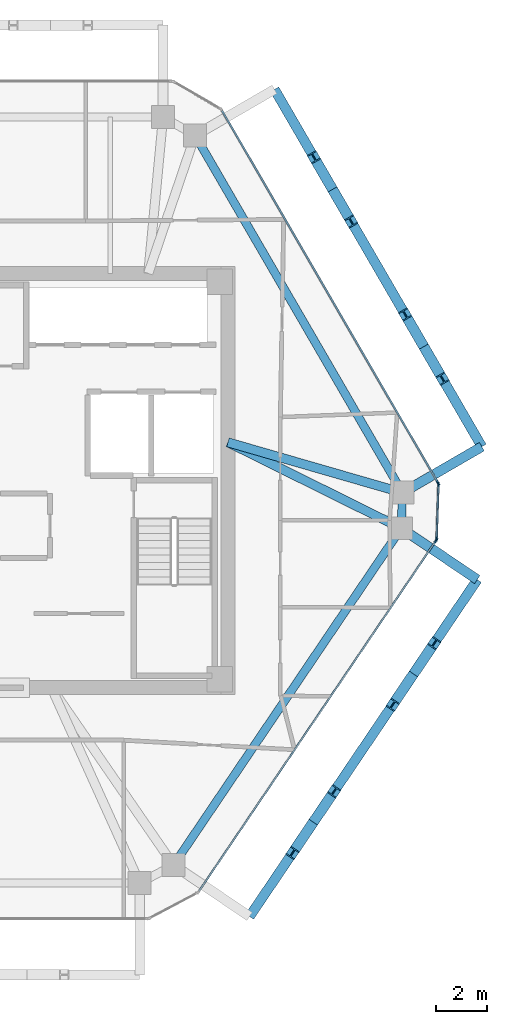
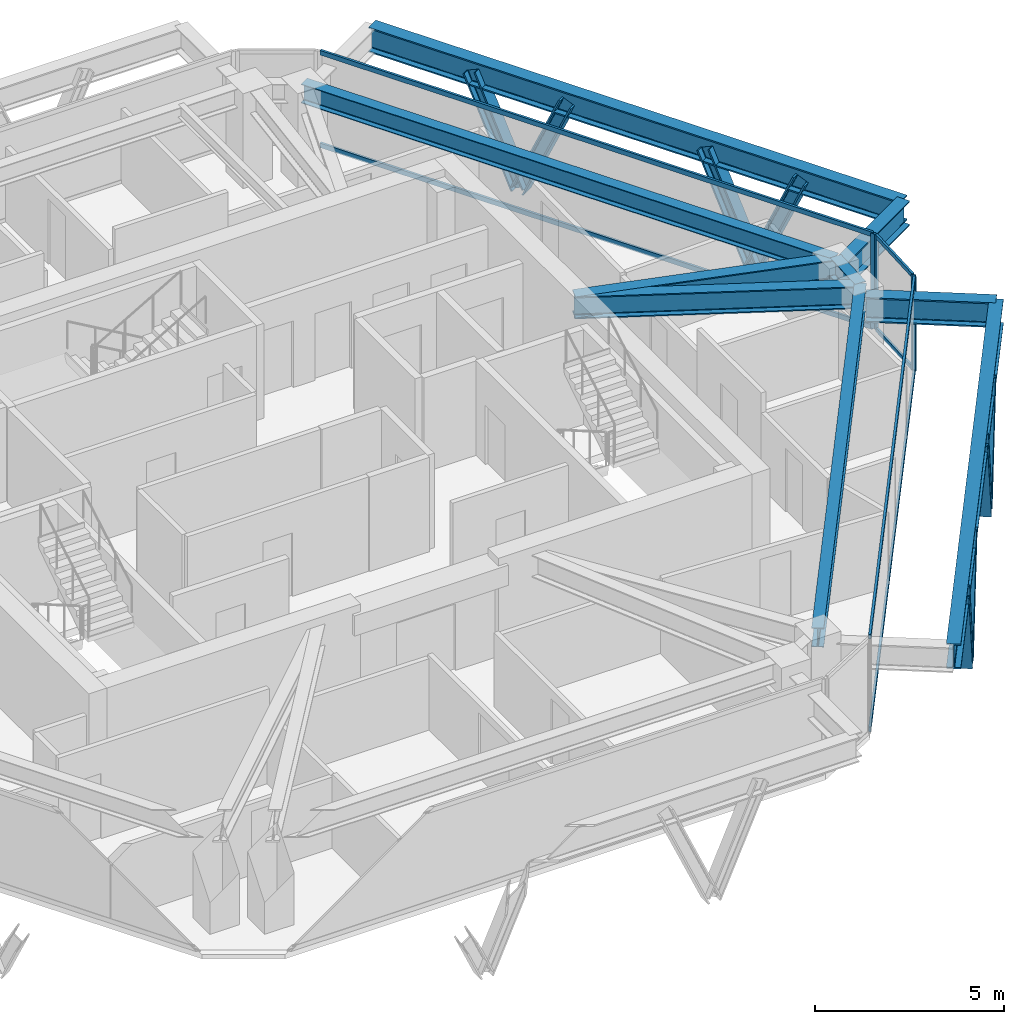
# One storey, part 5 of 11: 18 members, 9 beams, 3 elements without a shape of their own.
"""IFC4 building model written with IfcOpenShell, lengths in metres."""

from ifc_helpers import new_model, si_unit, direction, frame, origin, origin_2d, place, context, subcontext, project, spatial, rectangle, i_section, extrude, source, transform, mapped, material, layer, layer_set, material_profile, profile_set, type_object, type_shapes, element, aggregate, save


model = new_model("IFC4")

# Units and contexts
model_context = context("Model", 3, precision=1e-05, world=origin(), true_north=direction((0.0, 1.0)))
body_context = subcontext(model_context, "Body", "Model", "MODEL_VIEW")
ifc_project = project(units=[si_unit("LENGTHUNIT", "METRE"), si_unit("AREAUNIT", "SQUARE_METRE"), si_unit("VOLUMEUNIT", "CUBIC_METRE"), si_unit("PLANEANGLEUNIT", "RADIAN"), si_unit("MASSUNIT", "GRAM", prefix="KILO")], contexts=[model_context])

# Site, building, storey
site_placement = place(None, origin())
site = spatial("IfcSite", under=ifc_project, at=site_placement, CompositionType="ELEMENT")
building_placement = place(site_placement, origin())
building = spatial("IfcBuilding", under=site, at=building_placement, Name="Durnholm Broadcast Tower", CompositionType="ELEMENT")
storey_placement = place(building_placement, frame((0.0, 0.0, 238.10009765625)))
storey = spatial("IfcBuildingStorey", under=building, at=storey_placement, Name="L66", CompositionType="ELEMENT", Elevation=238.10009765625)

# Beams
ifc_material_1 = material(Name="Steel ASTM A992 Grade 50", Category="steel")
ifc_material_profile_1 = material_profile(ifc_material_1, i_section(OverallWidth=0.385009765625, OverallDepth=0.802978515625, WebThickness=0.023681640625, FlangeThickness=0.0419921875, FilletRadius=0.032958984375, at=origin_2d()), Name="W30X261")
ifc_profile_set_1 = profile_set([ifc_material_profile_1], Name="Steel ASTM A992 Grade 50")
beam_type_1 = type_object("IfcBeamType", Name="BM-EXO-TIE", PredefinedType="USERDEFINED", material=ifc_profile_set_1)
shared_shape_1 = source(origin(), body_context, "Body", "SweptSolid", [
    extrude(i_section(OverallWidth=0.385009765625, OverallDepth=0.802978515625, WebThickness=0.023681640625, FlangeThickness=0.0419921875, FilletRadius=0.032958984375, at=origin_2d()), origin(), (0.0, 0.0, 1.0), 3.4560546875),
])
beam_1_placement = place(storey_placement, frame((17.0947265625, -0.40380859375, 2.308349609375), z_axis=(0.864924479231, 0.501902027518, 0.0), x_axis=(-0.501902027518, 0.864924479231, 0.0)))
element("IfcBeam", 1, at=beam_1_placement, inside=storey, type_object=beam_type_1, Name="L66 exoskeleton stand-off tie bracket F3.1", ObjectType="GIRDER", PredefinedType="USERDEFINED", context=body_context, shape_type="MappedRepresentation", body=[
    mapped(shared_shape_1, transform((0.0, 0.0, 0.0), x_axis=(1.0, 0.0, 0.0), y_axis=(0.0, 1.0, 0.0), z_axis=(0.0, 0.0, 1.0), scale=1.0)),
])
shared_shape_2 = source(origin(), body_context, "Body", "SweptSolid", [
    extrude(i_section(OverallWidth=0.385009765625, OverallDepth=0.802978515625, WebThickness=0.023681640625, FlangeThickness=0.0419921875, FilletRadius=0.032958984375, at=origin_2d()), origin(), (0.0, 0.0, 1.0), 3.455810546875),
])
beam_2_placement = place(storey_placement, frame((17.041748046875, -1.95068359375, 2.308349609375), z_axis=(0.828446342252, -0.560068440469, 0.0), x_axis=(0.560068440469, 0.828446342252, 0.0)))
element("IfcBeam", 2, at=beam_2_placement, inside=storey, type_object=beam_type_1, Name="L66 exoskeleton stand-off tie bracket F2.2", ObjectType="GIRDER", PredefinedType="USERDEFINED", context=body_context, shape_type="MappedRepresentation", body=[
    mapped(shared_shape_2, transform((0.0, 0.0, 0.0), x_axis=(1.0, 0.0, 0.0), y_axis=(0.0, 1.0, 0.0), z_axis=(0.0, 0.0, 1.0), scale=1.0)),
])
ifc_material_profile_2 = material_profile(ifc_material_1, i_section(OverallWidth=0.3251953125, OverallDepth=0.6162109375, WebThickness=0.013916015625, FlangeThickness=0.021484375, FilletRadius=0.02783203125, at=origin_2d()), Name="W24X117")
ifc_profile_set_2 = profile_set([ifc_material_profile_2], Name="Steel ASTM A992 Grade 50")
beam_type_2 = type_object("IfcBeamType", Name="STL-SP-W24X117", PredefinedType="SPANDREL", material=ifc_profile_set_2)
shared_shape_3 = source(origin(), body_context, "Body", "SweptSolid", [
    extrude(i_section(OverallWidth=0.3251953125, OverallDepth=0.6162109375, WebThickness=0.013916015625, FlangeThickness=0.021484375, FilletRadius=0.02783203125, at=origin_2d()), origin(), (0.0, 0.0, 1.0), 1.39453125),
])
beam_3_placement = place(storey_placement, frame((16.97021484375, -0.47607421875, 2.73681640625), z_axis=(-0.034311541846, -0.999411185697, 0.0), x_axis=(0.999411185697, -0.034311541846, 0.0)))
element("IfcBeam", 3, at=beam_3_placement, inside=storey, type_object=beam_type_2, Name="L66 perimeter spandrel girder 08", PredefinedType="SPANDREL", context=body_context, shape_type="MappedRepresentation", body=[
    mapped(shared_shape_3, transform((0.0, 0.0, 0.0), x_axis=(1.0, 0.0, 0.0), y_axis=(0.0, 1.0, 0.0), z_axis=(0.0, 0.0, 1.0), scale=1.0)),
])
shared_shape_4 = source(origin(), body_context, "Body", "SweptSolid", [
    extrude(i_section(OverallWidth=0.3251953125, OverallDepth=0.6162109375, WebThickness=0.013916015625, FlangeThickness=0.021484375, FilletRadius=0.02783203125, at=origin_2d()), origin(), (0.0, 0.0, 1.0), 15.947265625),
])
beam_4_placement = place(storey_placement, frame((16.92236328125, -1.869873046875, 2.73681640625), z_axis=(-0.560062212489, -0.828450552623, 0.0), x_axis=(0.828450552623, -0.560062212489, 0.0)))
element("IfcBeam", 4, at=beam_4_placement, inside=storey, type_object=beam_type_2, Name="L66 perimeter spandrel girder 09", PredefinedType="SPANDREL", context=body_context, shape_type="MappedRepresentation", body=[
    mapped(shared_shape_4, transform((0.0, 0.0, 0.0), x_axis=(1.0, 0.0, 0.0), y_axis=(0.0, 1.0, 0.0), z_axis=(0.0, 0.0, 1.0), scale=1.0)),
])
shared_shape_5 = source(origin(), body_context, "Body", "SweptSolid", [
    extrude(i_section(OverallWidth=0.3251953125, OverallDepth=0.6162109375, WebThickness=0.013916015625, FlangeThickness=0.021484375, FilletRadius=0.02783203125, at=origin_2d()), origin(), (0.0, 0.0, 1.0), 16.20263671875),
])
type_shapes(beam_type_2, [shared_shape_3, shared_shape_4, shared_shape_5])
beam_5_placement = place(storey_placement, frame((8.83740234375, 13.53759765625, 2.73681640625), z_axis=(0.501943573333, -0.864900369516, 0.0), x_axis=(0.864900369516, 0.501943573333, 0.0)))
element("IfcBeam", 5, at=beam_5_placement, inside=storey, type_object=beam_type_2, Name="L66 perimeter spandrel girder 07", PredefinedType="SPANDREL", context=body_context, shape_type="MappedRepresentation", body=[
    mapped(shared_shape_5, transform((0.0, 0.0, 0.0), x_axis=(1.0, 0.0, 0.0), y_axis=(0.0, 1.0, 0.0), z_axis=(0.0, 0.0, 1.0), scale=1.0)),
])
shared_shape_6 = source(origin(), body_context, "Body", "SweptSolid", [
    extrude(i_section(OverallWidth=0.385009765625, OverallDepth=0.802978515625, WebThickness=0.023681640625, FlangeThickness=0.0419921875, FilletRadius=0.032958984375, at=origin_2d()), origin(), (0.0, 0.0, 1.0), 15.947021484375),
])
beam_6_placement = place(storey_placement, frame((10.973388671875, -17.097412109375, 2.308349609375), z_axis=(0.560069315853, 0.828445750451, 0.0), x_axis=(-0.828445750451, 0.560069315853, 0.0)))
element("IfcBeam", 6, at=beam_6_placement, inside=storey, type_object=beam_type_1, Name="L66 exoskeleton collector spandrel F2", PredefinedType="SPANDREL", context=body_context, shape_type="MappedRepresentation", body=[
    mapped(shared_shape_6, transform((0.0, 0.0, 0.0), x_axis=(1.0, 0.0, 0.0), y_axis=(0.0, 1.0, 0.0), z_axis=(0.0, 0.0, 1.0), scale=1.0)),
])
shared_shape_7 = source(origin(), body_context, "Body", "SweptSolid", [
    extrude(i_section(OverallWidth=0.385009765625, OverallDepth=0.802978515625, WebThickness=0.023681640625, FlangeThickness=0.0419921875, FilletRadius=0.032958984375, at=origin_2d()), origin(), (0.0, 0.0, 1.0), 16.202880859375),
])
type_shapes(beam_type_1, [shared_shape_1, shared_shape_2, shared_shape_6, shared_shape_7])
beam_7_placement = place(storey_placement, frame((20.083984375, 1.330810546875, 2.308349609375), z_axis=(-0.501948303381, 0.864897624423, 0.0), x_axis=(-0.864897624423, -0.501948303381, 0.0)))
element("IfcBeam", 7, at=beam_7_placement, inside=storey, type_object=beam_type_1, Name="L66 exoskeleton collector spandrel F3", PredefinedType="SPANDREL", context=body_context, shape_type="MappedRepresentation", body=[
    mapped(shared_shape_7, transform((0.0, 0.0, 0.0), x_axis=(1.0, 0.0, 0.0), y_axis=(0.0, 1.0, 0.0), z_axis=(0.0, 0.0, 1.0), scale=1.0)),
])
ifc_material_profile_3 = material_profile(ifc_material_1, i_section(OverallWidth=0.3564453125, OverallDepth=0.713623046875, WebThickness=0.01904296875, FlangeThickness=0.033935546875, FilletRadius=0.030517578125, at=origin_2d()), Name="W27X194")
ifc_profile_set_3 = profile_set([ifc_material_profile_3], Name="Steel ASTM A992 Grade 50")
beam_type_3 = type_object("IfcBeamType", Name="STL-GR-W27X194", PredefinedType="USERDEFINED", material=ifc_profile_set_3)
shared_shape_8 = source(origin(), body_context, "Body", "SweptSolid", [
    extrude(i_section(OverallWidth=0.3564453125, OverallDepth=0.713623046875, WebThickness=0.01904296875, FlangeThickness=0.033935546875, FilletRadius=0.030517578125, at=origin_2d()), origin(), (0.0, 0.0, 1.0), 7.124755859375),
])
beam_8_placement = place(storey_placement, frame((10.125, 1.5, 2.68798828125), z_axis=(0.960767767054, -0.277354101809, 0.0), x_axis=(0.277354101809, 0.960767767054, 0.0)))
element("IfcBeam", 8, at=beam_8_placement, inside=storey, type_object=beam_type_3, Name="L66 radial primary floor girder 08", ObjectType="GIRDER", PredefinedType="USERDEFINED", context=body_context, shape_type="MappedRepresentation", body=[
    mapped(shared_shape_8, transform((0.0, 0.0, 0.0), x_axis=(1.0, 0.0, 0.0), y_axis=(0.0, 1.0, 0.0), z_axis=(0.0, 0.0, 1.0), scale=1.0)),
])
shared_shape_9 = source(origin(), body_context, "Body", "SweptSolid", [
    extrude(i_section(OverallWidth=0.3564453125, OverallDepth=0.713623046875, WebThickness=0.01904296875, FlangeThickness=0.033935546875, FilletRadius=0.030517578125, at=origin_2d()), origin(), (0.0, 0.0, 1.0), 7.5869140625),
])
type_shapes(beam_type_3, [shared_shape_8, shared_shape_9])
beam_9_placement = place(storey_placement, frame((10.125, 1.5, 2.68798828125), z_axis=(0.895940903598, -0.444173273916, 0.0), x_axis=(0.444173273916, 0.895940903598, 0.0)))
element("IfcBeam", 9, at=beam_9_placement, inside=storey, type_object=beam_type_3, Name="L66 radial primary floor girder 09", ObjectType="GIRDER", PredefinedType="USERDEFINED", context=body_context, shape_type="MappedRepresentation", body=[
    mapped(shared_shape_9, transform((0.0, 0.0, 0.0), x_axis=(1.0, 0.0, 0.0), y_axis=(0.0, 1.0, 0.0), z_axis=(0.0, 0.0, 1.0), scale=1.0)),
])

# Members
ifc_material_2 = material(Name="Steel ASTM A913 Grade 65", Category="steel")
ifc_material_profile_4 = material_profile(ifc_material_2, i_section(OverallWidth=0.40625, OverallDepth=0.416015625, WebThickness=0.02978515625, FlangeThickness=0.048095703125, FilletRadius=0.030517578125, at=origin_2d()), Name="W14X257")
ifc_profile_set_4 = profile_set([ifc_material_profile_4], Name="Steel ASTM A913 Grade 65")
member_type_1 = type_object("IfcMemberType", Name="STL-DG-W14X257", PredefinedType="BRACE", material=ifc_profile_set_4)
shared_shape_10 = source(origin(), body_context, "Body", "SweptSolid", [
    extrude(i_section(OverallWidth=0.40625, OverallDepth=0.416015625, WebThickness=0.02978515625, FlangeThickness=0.048095703125, FilletRadius=0.030517578125, at=origin_2d()), origin(), (0.0, 0.0, 1.0), 3.607666015625),
])
type_shapes(member_type_1, [shared_shape_10])
for number, where, z_axis, x_axis, name in (
    (10, (13.47412109375, -13.398193359375, -0.991455078125), (-0.226363144823, -0.334909178992, 0.914655983686), (0.828505003222, -0.559981660089, 0.0), "L66 stand-off diagrid brace F2.D1.1"),
    (11, (13.47412109375, -13.398193359375, -0.991455078125), (0.226368274775, 0.334849095242, 0.914676712063), (-0.828452496411, 0.560059337206, 0.0), "L66 stand-off diagrid brace F2.D1.2"),
    (12, (17.404052734375, -7.585205078125, -0.991455078125), (-0.226363144823, -0.334909178992, 0.914655983686), (0.828505003222, -0.559981660089, 0.0), "L66 stand-off diagrid brace F2.D2.1"),
    (13, (17.404052734375, -7.585205078125, -0.991455078125), (0.226368274775, 0.334849095242, 0.914676712063), (-0.828452496411, 0.560059337206, 0.0), "L66 stand-off diagrid brace F2.D2.2"),
    (14, (17.806640625, 5.2548828125, -0.991455078125), (0.202883747207, -0.34959887861, 0.914668688211), (0.864906184135, 0.501933554014, 0.0), "L66 stand-off diagrid brace F3.D1.1"),
    (15, (17.806640625, 5.2548828125, -0.991455078125), (-0.202883747207, 0.34959887861, 0.914668688211), (-0.864906184135, -0.501933554014, 0.0), "L66 stand-off diagrid brace F3.D1.2"),
    (16, (14.228271484375, 11.4208984375, -0.991455078125), (0.202883747207, -0.34959887861, 0.914668688211), (0.864906184135, 0.501933554014, 0.0), "L66 stand-off diagrid brace F3.D2.1"),
    (17, (14.228271484375, 11.4208984375, -0.991455078125), (-0.202888546821, 0.349539474427, 0.914690326496), (-0.864863994925, -0.502006245263, 0.0), "L66 stand-off diagrid brace F3.D2.2"),
):
    element("IfcMember", number, at=place(storey_placement, frame(where, z_axis=z_axis, x_axis=x_axis)), inside=storey, type_object=member_type_1, Name=name, PredefinedType="BRACE", context=body_context, shape_type="MappedRepresentation", body=[
        mapped(shared_shape_10, transform((0.0, 0.0, 0.0), x_axis=(1.0, 0.0, 0.0), y_axis=(0.0, 1.0, 0.0), z_axis=(0.0, 0.0, 1.0), scale=1.0)),
    ])

# Curtain wall, members
ifc_material_3 = material(Name="Aluminium and Solar Control IGU", Category="aluminium")
ifc_layer_1 = layer(ifc_material_3, 0.1650390625)
ifc_layer_set_1 = layer_set([ifc_layer_1], Name="Aluminium and Solar Control IGU")
curtain_wall_type_1 = type_object("IfcCurtainWallType", Name="CW-SYS-5", PredefinedType="NOTDEFINED", material=ifc_layer_set_1)
curtain_wall_1_placement = place(storey_placement, origin())
curtain_wall_1 = element("IfcCurtainWall", 18, at=curtain_wall_1_placement, inside=storey, type_object=curtain_wall_type_1, Name="L66 curtain wall CW-CORNER CW-L66-CRN-07", PredefinedType="NOTDEFINED")
ifc_material_4 = material(Name="Aluminium 6063-T6", Category="aluminium")
ifc_material_profile_5 = material_profile(ifc_material_4, rectangle(XDim=0.06494140625, YDim=0.1298828125, at=origin_2d()), Name="CWT65X130")
ifc_profile_set_5 = profile_set([ifc_material_profile_5], Name="Aluminium 6063-T6")
member_type_2 = type_object("IfcMemberType", Name="CW-SYS-5-TRN", PredefinedType="USERDEFINED", material=ifc_profile_set_5)
shared_shape_11 = source(origin(), body_context, "Body", "SweptSolid", [
    extrude(rectangle(XDim=0.06494140625, YDim=0.1298828125, at=origin_2d()), origin(), (0.0, 0.0, 1.0), 2.06982421875),
])
type_shapes(member_type_2, [shared_shape_11])
member_1_placement = place(storey_placement, frame((18.381103515625, -0.186767578125, 0.032470703125), z_axis=(-0.034324150719, -0.999410752733, 0.0), x_axis=(0.999410752733, -0.034324150719, 0.0)))
member_1 = element("IfcMember", 19, at=member_1_placement, type_object=member_type_2, Name="CW-CORNER transom 1.1", ObjectType="TRANSOM", PredefinedType="USERDEFINED", context=body_context, shape_type="MappedRepresentation", body=[
    mapped(shared_shape_11, transform((0.0, 0.0, 0.0), x_axis=(1.0, 0.0, 0.0), y_axis=(0.0, 1.0, 0.0), z_axis=(0.0, 0.0, 1.0), scale=1.0)),
])
member_2_placement = place(storey_placement, frame((18.381103515625, -0.186767578125, 3.02734375), z_axis=(-0.034324150719, -0.999410752733, 0.0), x_axis=(0.999410752733, -0.034324150719, 0.0)))
member_2 = element("IfcMember", 20, at=member_2_placement, type_object=member_type_2, Name="CW-CORNER transom 1.2", ObjectType="TRANSOM", PredefinedType="USERDEFINED", context=body_context, shape_type="MappedRepresentation", body=[
    mapped(shared_shape_11, transform((0.0, 0.0, 0.0), x_axis=(1.0, 0.0, 0.0), y_axis=(0.0, 1.0, 0.0), z_axis=(0.0, 0.0, 1.0), scale=1.0)),
])
ifc_material_profile_6 = material_profile(ifc_material_4, rectangle(XDim=0.06494140625, YDim=0.1650390625, at=origin_2d()), Name="CWM65X165")
ifc_profile_set_6 = profile_set([ifc_material_profile_6], Name="Aluminium 6063-T6")
member_type_3 = type_object("IfcMemberType", Name="CW-SYS-5-MUL", PredefinedType="MULLION", material=ifc_profile_set_6)
shared_shape_12 = source(origin(), body_context, "Body", "SweptSolid", [
    extrude(rectangle(XDim=0.06494140625, YDim=0.1650390625, at=origin_2d()), origin(), (0.0, 0.0, 1.0), 3.059814453125),
])
type_shapes(member_type_3, [shared_shape_12])
member_3_placement = place(storey_placement, frame((18.382080078125, -0.154296875, 0.0), z_axis=(0.0, 0.0, 1.0), x_axis=(0.999410955514, -0.034318245849, 0.0)))
member_3 = element("IfcMember", 21, at=member_3_placement, type_object=member_type_3, Name="CW-CORNER mullion 1", PredefinedType="MULLION", context=body_context, shape_type="MappedRepresentation", body=[
    mapped(shared_shape_12, transform((0.0, 0.0, 0.0), x_axis=(1.0, 0.0, 0.0), y_axis=(0.0, 1.0, 0.0), z_axis=(0.0, 0.0, 1.0), scale=1.0)),
])
member_4_placement = place(storey_placement, frame((18.308837890625, -2.287841796875, 0.0), z_axis=(0.0, 0.0, 1.0), x_axis=(0.999410955514, -0.034318245849, 0.0)))
member_4 = element("IfcMember", 22, at=member_4_placement, type_object=member_type_3, Name="CW-CORNER mullion 2", PredefinedType="MULLION", context=body_context, shape_type="MappedRepresentation", body=[
    mapped(shared_shape_12, transform((0.0, 0.0, 0.0), x_axis=(1.0, 0.0, 0.0), y_axis=(0.0, 1.0, 0.0), z_axis=(0.0, 0.0, 1.0), scale=1.0)),
])
aggregate(curtain_wall_1, [member_3, member_4, member_1, member_2])

# Curtain wall, member
ifc_layer_2 = layer(ifc_material_3, 0.18994140625)
ifc_layer_set_2 = layer_set([ifc_layer_2], Name="Aluminium and Solar Control IGU")
curtain_wall_type_2 = type_object("IfcCurtainWallType", Name="CW-SYS-4", PredefinedType="NOTDEFINED", material=ifc_layer_set_2)
curtain_wall_2_placement = place(storey_placement, origin())
curtain_wall_2 = element("IfcCurtainWall", 23, at=curtain_wall_2_placement, inside=storey, type_object=curtain_wall_type_2, Name="L66 curtain wall CW-Z34-VIS CW-L66-F06", PredefinedType="NOTDEFINED")
ifc_material_profile_7 = material_profile(ifc_material_4, rectangle(XDim=0.070068359375, YDim=0.18994140625, at=origin_2d()), Name="CWM70X190")
ifc_profile_set_7 = profile_set([ifc_material_profile_7], Name="Aluminium 6063-T6")
member_type_4 = type_object("IfcMemberType", Name="CW-SYS-4-MUL", PredefinedType="MULLION", material=ifc_profile_set_7)
shared_shape_13 = source(origin(), body_context, "Body", "SweptSolid", [
    extrude(rectangle(XDim=0.070068359375, YDim=0.18994140625, at=origin_2d()), origin(), (0.0, 0.0, 1.0), 3.059814453125),
])
type_shapes(member_type_4, [shared_shape_13])
member_5_placement = place(storey_placement, frame((18.36572265625, -0.09130859375, 0.0), z_axis=(0.0, 0.0, 1.0), x_axis=(0.864899883824, 0.50194441023, 0.0)))
member_5 = element("IfcMember", 24, at=member_5_placement, type_object=member_type_4, Name="CW-Z34-VIS mullion 2", PredefinedType="MULLION", context=body_context, shape_type="MappedRepresentation", body=[
    mapped(shared_shape_13, transform((0.0, 0.0, 0.0), x_axis=(1.0, 0.0, 0.0), y_axis=(0.0, 1.0, 0.0), z_axis=(0.0, 0.0, 1.0), scale=1.0)),
])

# Curtain wall, members
curtain_wall_3_placement = place(storey_placement, origin())
curtain_wall_3 = element("IfcCurtainWall", 25, at=curtain_wall_3_placement, inside=storey, type_object=curtain_wall_type_2, Name="L66 curtain wall CW-Z34-VIS CW-L66-F08", PredefinedType="NOTDEFINED")
member_6_placement = place(storey_placement, frame((18.2880859375, -2.349365234375, 0.0), z_axis=(0.0, 0.0, 1.0), x_axis=(0.828443431662, -0.560072745753, 0.0)))
member_6 = element("IfcMember", 26, at=member_6_placement, type_object=member_type_4, Name="CW-Z34-VIS mullion 1", PredefinedType="MULLION", context=body_context, shape_type="MappedRepresentation", body=[
    mapped(shared_shape_13, transform((0.0, 0.0, 0.0), x_axis=(1.0, 0.0, 0.0), y_axis=(0.0, 1.0, 0.0), z_axis=(0.0, 0.0, 1.0), scale=1.0)),
])
ifc_material_profile_8 = material_profile(ifc_material_4, rectangle(XDim=0.070068359375, YDim=0.14990234375, at=origin_2d()), Name="CWT70X150")
ifc_profile_set_8 = profile_set([ifc_material_profile_8], Name="Aluminium 6063-T6")
member_type_5 = type_object("IfcMemberType", Name="CW-SYS-4-TRN", PredefinedType="USERDEFINED", material=ifc_profile_set_8)
shared_shape_14 = source(origin(), body_context, "Body", "SweptSolid", [
    extrude(rectangle(XDim=0.070068359375, YDim=0.14990234375, at=origin_2d()), origin(), (0.0, 0.0, 1.0), 16.55859375),
])
member_7_placement = place(storey_placement, frame((18.2685546875, -2.37841796875, 0.034912109375), z_axis=(-0.560071338091, -0.828444383317, 0.0), x_axis=(0.828444383317, -0.560071338091, 0.0)))
member_7 = element("IfcMember", 27, at=member_7_placement, type_object=member_type_5, Name="CW-Z34-VIS transom 1.1", ObjectType="TRANSOM", PredefinedType="USERDEFINED", context=body_context, shape_type="MappedRepresentation", body=[
    mapped(shared_shape_14, transform((0.0, 0.0, 0.0), x_axis=(1.0, 0.0, 0.0), y_axis=(0.0, 1.0, 0.0), z_axis=(0.0, 0.0, 1.0), scale=1.0)),
])
member_8_placement = place(storey_placement, frame((18.2685546875, -2.37841796875, 3.02490234375), z_axis=(-0.560071338091, -0.828444383317, 0.0), x_axis=(0.828444383317, -0.560071338091, 0.0)))
member_8 = element("IfcMember", 28, at=member_8_placement, type_object=member_type_5, Name="CW-Z34-VIS transom 1.2", ObjectType="TRANSOM", PredefinedType="USERDEFINED", context=body_context, shape_type="MappedRepresentation", body=[
    mapped(shared_shape_14, transform((0.0, 0.0, 0.0), x_axis=(1.0, 0.0, 0.0), y_axis=(0.0, 1.0, 0.0), z_axis=(0.0, 0.0, 1.0), scale=1.0)),
])
aggregate(curtain_wall_3, [member_6, member_7, member_8])

# Member
shared_shape_15 = source(origin(), body_context, "Body", "SweptSolid", [
    extrude(rectangle(XDim=0.070068359375, YDim=0.14990234375, at=origin_2d()), origin(), (0.0, 0.0, 1.0), 16.83984375),
])
type_shapes(member_type_5, [shared_shape_14, shared_shape_15])
member_9_placement = place(storey_placement, frame((9.8955078125, 14.503662109375, 0.034912109375), z_axis=(0.501945239029, -0.86489940283, 0.0), x_axis=(0.86489940283, 0.501945239029, 0.0)))
member_9 = element("IfcMember", 29, at=member_9_placement, type_object=member_type_5, Name="CW-Z34-VIS transom 1.1", ObjectType="TRANSOM", PredefinedType="USERDEFINED", context=body_context, shape_type="MappedRepresentation", body=[
    mapped(shared_shape_15, transform((0.0, 0.0, 0.0), x_axis=(1.0, 0.0, 0.0), y_axis=(0.0, 1.0, 0.0), z_axis=(0.0, 0.0, 1.0), scale=1.0)),
])

member_10_placement = place(storey_placement, frame((9.8955078125, 14.503662109375, 3.02490234375), z_axis=(0.501945239029, -0.86489940283, 0.0), x_axis=(0.86489940283, 0.501945239029, 0.0)))
member_10 = element("IfcMember", 30, at=member_10_placement, type_object=member_type_5, Name="CW-Z34-VIS transom 1.2", ObjectType="TRANSOM", PredefinedType="USERDEFINED", context=body_context, shape_type="MappedRepresentation", body=[
    mapped(shared_shape_15, transform((0.0, 0.0, 0.0), x_axis=(1.0, 0.0, 0.0), y_axis=(0.0, 1.0, 0.0), z_axis=(0.0, 0.0, 1.0), scale=1.0)),
])

aggregate(curtain_wall_2, [member_5, member_9, member_10])

save(model, "model.ifc")
